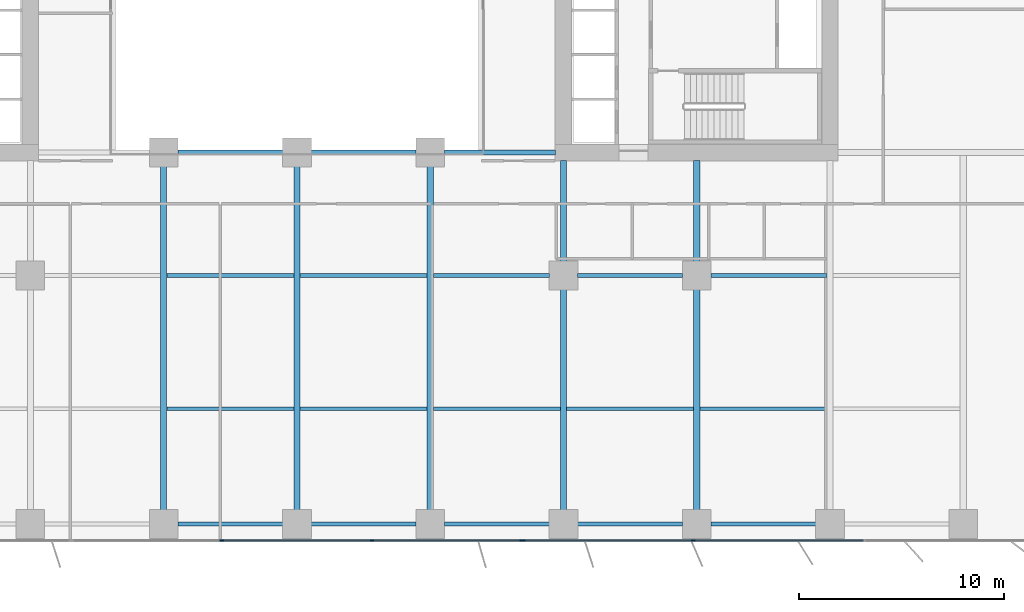
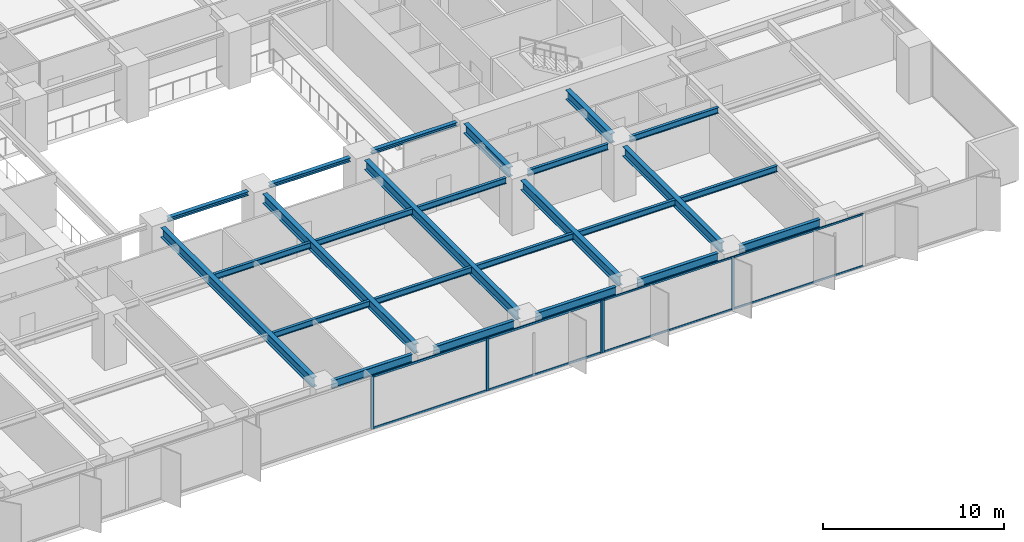
# One storey, part 5 of 20: 25 beams, 13 members, 2 elements without a shape of their own.
"""IFC4 building model written with IfcOpenShell, lengths in metres."""

import ifcopenshell
import ifcopenshell.guid

model = None  # the IFC model being written
_history = None  # IfcOwnerHistory: only IFC2X3 demands one
_inside = {}  # id of a spatial element -> (the spatial element, [elements in it])
_under = {}  # id of a project, library or spatial element -> (it, [spatial elements below it])
_declared = {}  # id of a project -> (the project, [libraries it declares])
_typed = {}  # id of a type object -> (the type object, [elements of that type])
_made_of = {}  # id of a material, layer set ... -> (it, [elements and type objects made of it])


def new_model(schema):
    """Start an empty IFC model of exactly this schema.

    Asked for "IFC4X3", IfcOpenShell would pick the latest addendum, in which some entities
    have other attributes; the version numbers below select the first issue.
    IFC2X3 requires an IfcOwnerHistory on every rooted entity: one is made here for all.
    """
    global model, _history
    if schema == "IFC4X3":
        model = ifcopenshell.file(schema_version=(4, 3, 0, 0))
    else:
        model = ifcopenshell.file(schema=schema)
    _inside.clear()
    _under.clear()
    _declared.clear()
    _typed.clear()
    _made_of.clear()
    _history = None
    if model.schema == "IFC2X3":
        org = make("IfcOrganization", Name="unknown")
        user = make(
            "IfcPersonAndOrganization",
            ThePerson=make("IfcPerson", FamilyName="unknown"),
            TheOrganization=org,
        )
        app = make(
            "IfcApplication",
            ApplicationDeveloper=org,
            Version="unknown",
            ApplicationFullName="unknown",
            ApplicationIdentifier="unknown",
        )
        _history = make(
            "IfcOwnerHistory",
            OwningUser=user,
            OwningApplication=app,
            ChangeAction="ADDED",
            CreationDate=0,
        )
    return model


def make(cls, **values):
    """One entity of the class cls with the attributes given. An attribute that is None is left unset."""
    return model.create_entity(
        cls, **{name: value for name, value in values.items() if value is not None}
    )


def rooted(cls, **values):
    """An entity with a GlobalId (a new one), such as an element, a storey or a relation."""
    return make(cls, GlobalId=ifcopenshell.guid.new(), OwnerHistory=_history, **values)


def si_unit(unit_type, name, prefix=None):
    """IfcSIUnit, for example si_unit("LENGTHUNIT", "METRE", prefix="MILLI")."""
    return make("IfcSIUnit", UnitType=unit_type, Prefix=prefix, Name=name)


def assignment(units):
    """IfcUnitAssignment: the units of a project."""
    return None if units is None else make("IfcUnitAssignment", Units=units)


def point(xyz):
    """IfcCartesianPoint."""
    return None if xyz is None else make("IfcCartesianPoint", Coordinates=xyz)


def direction(xyz):
    """IfcDirection."""
    return None if xyz is None else make("IfcDirection", DirectionRatios=xyz)


def frame(location, z_axis=None, x_axis=None):
    """IfcAxis2Placement3D, a coordinate frame: its origin and axes. An axis left out is left unset."""
    return make(
        "IfcAxis2Placement3D",
        Location=point(location),
        Axis=direction(z_axis),
        RefDirection=direction(x_axis),
    )


def frame_2d(location, x_axis=None):
    """IfcAxis2Placement2D, a coordinate frame in the plane: its origin and x axis."""
    return make(
        "IfcAxis2Placement2D", Location=point(location), RefDirection=direction(x_axis)
    )


def origin():
    """The frame at (0, 0, 0) with its axes left unset."""
    return frame((0.0, 0.0, 0.0))


def origin_2d():
    """The frame at (0, 0) in the plane with its x axis left unset."""
    return frame_2d((0.0, 0.0))


def place(relative_to, where):
    """IfcLocalPlacement: puts the frame where relative to a parent placement (None: the world)."""
    return make(
        "IfcLocalPlacement", PlacementRelTo=relative_to, RelativePlacement=where
    )


def context(
    kind, dimensions, precision=None, world=None, true_north=None, identifier=None
):
    """IfcGeometricRepresentationContext, for example the 3D "Model" context."""
    return make(
        "IfcGeometricRepresentationContext",
        ContextIdentifier=identifier,
        ContextType=kind,
        CoordinateSpaceDimension=dimensions,
        Precision=precision,
        WorldCoordinateSystem=world,
        TrueNorth=true_north,
    )


def subcontext(parent, identifier, kind, view, scale=None):
    """IfcGeometricRepresentationSubContext, for example "Body" below "Model"."""
    return make(
        "IfcGeometricRepresentationSubContext",
        ContextIdentifier=identifier,
        ContextType=kind,
        ParentContext=parent,
        TargetScale=scale,
        TargetView=view,
    )


def project(units=None, contexts=None):
    """IfcProject with its units and contexts."""
    return rooted(
        "IfcProject",
        Name="project",
        RepresentationContexts=contexts,
        UnitsInContext=assignment(units),
    )


def spatial(cls, under=None, at=None, **own):
    """A site, building, storey or space (cls), placed at a placement, below another one or the project."""
    s = rooted(cls, ObjectPlacement=at, **own)
    if under is not None:
        _under.setdefault(under.id(), (under, []))[1].append(s)
    return s


def profile(cls, at=None, kind="AREA", **sizes):
    """A parametric profile (cls). Its sizes go by their IFC names, for example OverallWidth=200.0."""
    return make(cls, ProfileType=kind, Position=at, **sizes)


def rectangle(**sizes):
    """IfcRectangleProfileDef."""
    return profile("IfcRectangleProfileDef", **sizes)


def i_section(**sizes):
    """IfcIShapeProfileDef."""
    return profile("IfcIShapeProfileDef", **sizes)


def extrude(swept, where, along, depth):
    """IfcExtrudedAreaSolid: the profile swept, set in the frame where, extruded along a direction by depth."""
    return make(
        "IfcExtrudedAreaSolid",
        SweptArea=swept,
        Position=where,
        ExtrudedDirection=direction(along),
        Depth=depth,
    )


def shape(context_of_items, identifier, shape_type, items):
    """IfcShapeRepresentation: the items that make up one representation, for example the "Body"."""
    return make(
        "IfcShapeRepresentation",
        ContextOfItems=context_of_items,
        RepresentationIdentifier=identifier,
        RepresentationType=shape_type,
        Items=items,
    )


def material(Name=None, Category=None):
    """IfcMaterial."""
    return make("IfcMaterial", Name=Name, Category=Category)


def layer(
    of_material, thickness, ventilated=None, Name=None, Category=None, Priority=None
):
    """IfcMaterialLayer: one layer of a wall or slab, of a material (None: an air gap)."""
    return make(
        "IfcMaterialLayer",
        Material=of_material,
        LayerThickness=thickness,
        IsVentilated=ventilated,
        Name=Name,
        Category=Category,
        Priority=Priority,
    )


def layer_set(layers, Name=None):
    """IfcMaterialLayerSet."""
    return make("IfcMaterialLayerSet", MaterialLayers=layers, LayerSetName=Name)


def material_profile(
    of_material, cross_section, Name=None, Category=None, Priority=None
):
    """IfcMaterialProfile: a cross section and its material."""
    return make(
        "IfcMaterialProfile",
        Name=Name,
        Material=of_material,
        Profile=cross_section,
        Priority=Priority,
        Category=Category,
    )


def profile_set(profiles, Name=None, composite=None):
    """IfcMaterialProfileSet."""
    return make(
        "IfcMaterialProfileSet",
        Name=Name,
        MaterialProfiles=profiles,
        CompositeProfile=composite,
    )


def made_of(thing, what):
    """Note that an element or type object is made of a material, layer set ...; save() writes the relation."""
    if what is not None:
        _made_of.setdefault(what.id(), (what, []))[1].append(thing)
    return thing


def type_object(cls, material=None, **own):
    """A type object (cls), such as IfcWallType, which elements share."""
    return made_of(rooted(cls, **own), material)


def element(
    cls,
    number,
    at=None,
    inside=None,
    cuts=None,
    type_object=None,
    material=None,
    context=None,
    identifier="Body",
    shape_type=None,
    held_by="IfcProductDefinitionShape",
    body=None,
    shapes=None,
    **own,
):
    """One element of the class cls, such as IfcWall. Its Tag is "e" and its number.

    at: its placement. inside: the storey or other place that contains it. cuts: it is an
    opening in that element (IfcRelVoidsElement). A single representation is given by context,
    identifier, shape_type and body (its items); several are given by shapes. held_by: the class
    of the entity that holds the representations. save() writes the other relations.
    """
    e = rooted(cls, Tag="e%d" % number, ObjectPlacement=at, **own)
    if body is not None:
        shapes = [shape(context, identifier, shape_type, body)]
    if shapes is not None:
        e.Representation = make(held_by, Representations=shapes)
    if inside is not None:
        _inside.setdefault(inside.id(), (inside, []))[1].append(e)
    if cuts is not None:
        rooted(
            "IfcRelVoidsElement", RelatingBuildingElement=cuts, RelatedOpeningElement=e
        )
    if type_object is not None:
        _typed.setdefault(type_object.id(), (type_object, []))[1].append(e)
    return made_of(e, material)


def aggregate(whole, parts):
    """IfcRelAggregates: a whole, such as a stair, and the parts it consists of."""
    return rooted("IfcRelAggregates", RelatingObject=whole, RelatedObjects=parts)


def save(model, path):
    """Write the relations noted so far, then the file.

    IfcRelAggregates (storeys below a building ...), IfcRelContainedInSpatialStructure (elements
    in a storey), IfcRelDefinesByType, IfcRelAssociatesMaterial and IfcRelDeclares: one each for
    every whole, place, type object, material and project.
    """
    for whole, parts in _under.values():
        aggregate(whole, parts)
    for where, things in _inside.values():
        rooted(
            "IfcRelContainedInSpatialStructure",
            RelatedElements=things,
            RelatingStructure=where,
        )
    for kind, things in _typed.values():
        rooted("IfcRelDefinesByType", RelatedObjects=things, RelatingType=kind)
    for what, things in _made_of.values():
        rooted("IfcRelAssociatesMaterial", RelatedObjects=things, RelatingMaterial=what)
    for by, libraries in _declared.values():
        rooted("IfcRelDeclares", RelatingContext=by, RelatedDefinitions=libraries)
    model.write(path)


model = new_model("IFC4")

# Units and contexts
model_context = context("Model", 3, precision=1e-05, world=origin(), true_north=direction((0.0, 1.0)))
body_context = subcontext(model_context, "Body", "Model", "MODEL_VIEW")
ifc_project = project(units=[si_unit("LENGTHUNIT", "METRE"), si_unit("AREAUNIT", "SQUARE_METRE"), si_unit("VOLUMEUNIT", "CUBIC_METRE"), si_unit("PLANEANGLEUNIT", "RADIAN"), si_unit("MASSUNIT", "GRAM", prefix="KILO")], contexts=[model_context])

# Site, building, storey
site_placement = place(None, origin())
site = spatial("IfcSite", under=ifc_project, at=site_placement, CompositionType="ELEMENT")
building_placement = place(site_placement, origin())
building = spatial("IfcBuilding", under=site, at=building_placement, Name="Putna Gate Headquarters", CompositionType="ELEMENT")
storey_placement = place(building_placement, frame((0.0, 0.0, 62.0)))
storey = spatial("IfcBuildingStorey", under=building, at=storey_placement, Name="L14", CompositionType="ELEMENT", Elevation=62.0)

# Beams
ifc_material_1 = material(Name="Steel S355J2", Category="steel")
ifc_material_profile_1 = material_profile(ifc_material_1, i_section(OverallWidth=0.260009765625, OverallDepth=0.260009765625, WebThickness=0.010009765625, FlangeThickness=0.017578125, at=origin_2d()), Name="Steel S355J2")
ifc_profile_set_1 = profile_set([ifc_material_profile_1], Name="Steel S355J2")
beam_type_1 = type_object("IfcBeamType", Name="BM-ATRIUM-HEB260", PredefinedType="BEAM", material=ifc_profile_set_1)
for number, where, z_axis, x_axis, name in (
    (1, (33.18798828125, 19.0, 3.419921875), (1.0, 0.0, 0.0), (0.0, 1.0, 0.0), "L14 Atrium Edge Beam AS2"),
    (2, (39.68798828125, 19.0, 3.419921875), (1.0, 0.0, 0.0), (0.0, 1.0, 0.0), "L14 Atrium Edge Beam AS3"),
):
    element("IfcBeam", number, at=place(storey_placement, frame(where, z_axis=z_axis, x_axis=x_axis)), inside=storey, type_object=beam_type_1, Name=name, PredefinedType="BEAM", context=body_context, shape_type="SweptSolid", body=[
        extrude(i_section(OverallWidth=0.260009765625, OverallDepth=0.260009765625, WebThickness=0.010009765625, FlangeThickness=0.017578125, at=origin_2d()), origin(), (0.0, 0.0, 1.0), 5.1240234375),
    ])
beam_1_placement = place(storey_placement, frame((46.18798828125, 19.0, 3.419921875), z_axis=(1.0, 0.0, 0.0), x_axis=(0.0, 1.0, 0.0)))
element("IfcBeam", 3, at=beam_1_placement, inside=storey, type_object=beam_type_1, Name="L14 Atrium Edge Beam AS4", PredefinedType="BEAM", context=body_context, shape_type="SweptSolid", body=[
    extrude(i_section(OverallWidth=0.260009765625, OverallDepth=0.260009765625, WebThickness=0.010009765625, FlangeThickness=0.017578125, at=origin_2d()), origin(), (0.0, 0.0, 1.0), 5.427001953125),
])
ifc_material_profile_2 = material_profile(ifc_material_1, i_section(OverallWidth=0.300048828125, OverallDepth=0.64990234375, WebThickness=0.01611328125, FlangeThickness=0.031005859375, at=origin_2d()), Name="Steel S355J2")
ifc_profile_set_2 = profile_set([ifc_material_profile_2], Name="Steel S355J2")
beam_type_2 = type_object("IfcBeamType", Name="BM-GIRD-Z1-HEB650", PredefinedType="USERDEFINED", material=ifc_profile_set_2)
for number, where, z_axis, x_axis, name in (
    (4, (32.5, 1.568115234375, 3.22509765625), (0.0, 1.0, 0.0), (-1.0, 0.0, 0.0), "L14 South Primary Girder X32"),
    (5, (39.0, 1.568115234375, 3.22509765625), (0.0, 1.0, 0.0), (-1.0, 0.0, 0.0), "L14 South Primary Girder X39"),
    (6, (45.5, 1.568115234375, 3.22509765625), (0.0, 1.0, 0.0), (-1.0, 0.0, 0.0), "L14 South Primary Girder X45"),
):
    element("IfcBeam", number, at=place(storey_placement, frame(where, z_axis=z_axis, x_axis=x_axis)), inside=storey, type_object=beam_type_2, Name=name, ObjectType="GIRDER", PredefinedType="USERDEFINED", context=body_context, shape_type="SweptSolid", body=[
        extrude(i_section(OverallWidth=0.300048828125, OverallDepth=0.64990234375, WebThickness=0.01611328125, FlangeThickness=0.031005859375, at=origin_2d()), origin(), (0.0, 0.0, 1.0), 16.743896484375),
    ])
beam_2_placement = place(storey_placement, frame((52.0, 1.568115234375, 3.22509765625), z_axis=(0.0, 1.0, 0.0), x_axis=(-1.0, 0.0, 0.0)))
element("IfcBeam", 7, at=beam_2_placement, inside=storey, type_object=beam_type_2, Name="L14 South Primary Girder X52-1", ObjectType="GIRDER", PredefinedType="USERDEFINED", context=body_context, shape_type="SweptSolid", body=[
    extrude(i_section(OverallWidth=0.300048828125, OverallDepth=0.64990234375, WebThickness=0.01611328125, FlangeThickness=0.031005859375, at=origin_2d()), origin(), (0.0, 0.0, 1.0), 10.743896484375),
])
beam_3_placement = place(storey_placement, frame((52.0, 13.68798828125, 3.22509765625), z_axis=(0.0, 1.0, 0.0), x_axis=(-1.0, 0.0, 0.0)))
element("IfcBeam", 8, at=beam_3_placement, inside=storey, type_object=beam_type_2, Name="L14 South Primary Girder X52-2", ObjectType="GIRDER", PredefinedType="USERDEFINED", context=body_context, shape_type="SweptSolid", body=[
    extrude(i_section(OverallWidth=0.300048828125, OverallDepth=0.64990234375, WebThickness=0.01611328125, FlangeThickness=0.031005859375, at=origin_2d()), origin(), (0.0, 0.0, 1.0), 4.927001953125),
])
beam_4_placement = place(storey_placement, frame((58.5, 1.568115234375, 3.22509765625), z_axis=(0.0, 1.0, 0.0), x_axis=(-1.0, 0.0, 0.0)))
element("IfcBeam", 9, at=beam_4_placement, inside=storey, type_object=beam_type_2, Name="L14 South Primary Girder X58-1", ObjectType="GIRDER", PredefinedType="USERDEFINED", context=body_context, shape_type="SweptSolid", body=[
    extrude(i_section(OverallWidth=0.300048828125, OverallDepth=0.64990234375, WebThickness=0.01611328125, FlangeThickness=0.031005859375, at=origin_2d()), origin(), (0.0, 0.0, 1.0), 10.743896484375),
])
beam_5_placement = place(storey_placement, frame((58.5, 13.68798828125, 3.22509765625), z_axis=(0.0, 1.0, 0.0), x_axis=(-1.0, 0.0, 0.0)))
element("IfcBeam", 10, at=beam_5_placement, inside=storey, type_object=beam_type_2, Name="L14 South Primary Girder X58-2", ObjectType="GIRDER", PredefinedType="USERDEFINED", context=body_context, shape_type="SweptSolid", body=[
    extrude(i_section(OverallWidth=0.300048828125, OverallDepth=0.64990234375, WebThickness=0.01611328125, FlangeThickness=0.031005859375, at=origin_2d()), origin(), (0.0, 0.0, 1.0), 4.927001953125),
])
ifc_material_profile_3 = material_profile(ifc_material_1, i_section(OverallWidth=0.179931640625, OverallDepth=0.39990234375, WebThickness=0.008544921875, FlangeThickness=0.013427734375, at=origin_2d()), Name="Steel S355J2")
ifc_profile_set_3 = profile_set([ifc_material_profile_3], Name="Steel S355J2")
beam_type_3 = type_object("IfcBeamType", Name="BM-SEC-Z1-IPE400", PredefinedType="BEAM", material=ifc_profile_set_3)
for number, where, z_axis, x_axis, name in (
    (11, (32.654052734375, 6.5, 3.35009765625), (1.0, 0.0, 0.0), (0.0, 1.0, 0.0), "L14 South Secondary Beam 5"),
    (12, (32.654052734375, 13.0, 3.35009765625), (1.0, 0.0, 0.0), (0.0, 1.0, 0.0), "L14 South Secondary Beam 5"),
    (13, (39.154052734375, 6.5, 3.35009765625), (1.0, 0.0, 0.0), (0.0, 1.0, 0.0), "L14 South Secondary Beam 6"),
    (14, (39.154052734375, 13.0, 3.35009765625), (1.0, 0.0, 0.0), (0.0, 1.0, 0.0), "L14 South Secondary Beam 6"),
    (15, (45.654052734375, 6.5, 3.35009765625), (1.0, 0.0, 0.0), (0.0, 1.0, 0.0), "L14 South Secondary Beam 7"),
):
    element("IfcBeam", number, at=place(storey_placement, frame(where, z_axis=z_axis, x_axis=x_axis)), inside=storey, type_object=beam_type_3, Name=name, PredefinedType="BEAM", context=body_context, shape_type="SweptSolid", body=[
        extrude(i_section(OverallWidth=0.179931640625, OverallDepth=0.39990234375, WebThickness=0.008544921875, FlangeThickness=0.013427734375, at=origin_2d()), origin(), (0.0, 0.0, 1.0), 6.19189453125),
    ])
beam_6_placement = place(storey_placement, frame((45.654052734375, 13.0, 3.35009765625), z_axis=(1.0, 0.0, 0.0), x_axis=(0.0, 1.0, 0.0)))
element("IfcBeam", 16, at=beam_6_placement, inside=storey, type_object=beam_type_3, Name="L14 South Secondary Beam 7", PredefinedType="BEAM", context=body_context, shape_type="SweptSolid", body=[
    extrude(i_section(OverallWidth=0.179931640625, OverallDepth=0.39990234375, WebThickness=0.008544921875, FlangeThickness=0.013427734375, at=origin_2d()), origin(), (0.0, 0.0, 1.0), 5.657958984375),
])
beam_7_placement = place(storey_placement, frame((52.154052734375, 6.5, 3.35009765625), z_axis=(1.0, 0.0, 0.0), x_axis=(0.0, 1.0, 0.0)))
element("IfcBeam", 17, at=beam_7_placement, inside=storey, type_object=beam_type_3, Name="L14 South Secondary Beam 8", PredefinedType="BEAM", context=body_context, shape_type="SweptSolid", body=[
    extrude(i_section(OverallWidth=0.179931640625, OverallDepth=0.39990234375, WebThickness=0.008544921875, FlangeThickness=0.013427734375, at=origin_2d()), origin(), (0.0, 0.0, 1.0), 6.19189453125),
])
beam_8_placement = place(storey_placement, frame((52.68798828125, 13.0, 3.35009765625), z_axis=(1.0, 0.0, 0.0), x_axis=(0.0, 1.0, 0.0)))
element("IfcBeam", 18, at=beam_8_placement, inside=storey, type_object=beam_type_3, Name="L14 South Secondary Beam 8", PredefinedType="BEAM", context=body_context, shape_type="SweptSolid", body=[
    extrude(i_section(OverallWidth=0.179931640625, OverallDepth=0.39990234375, WebThickness=0.008544921875, FlangeThickness=0.013427734375, at=origin_2d()), origin(), (0.0, 0.0, 1.0), 5.1240234375),
])
beam_9_placement = place(storey_placement, frame((58.654052734375, 6.5, 3.35009765625), z_axis=(1.0, 0.0, 0.0), x_axis=(0.0, 1.0, 0.0)))
element("IfcBeam", 19, at=beam_9_placement, inside=storey, type_object=beam_type_3, Name="L14 South Secondary Beam 9", PredefinedType="BEAM", context=body_context, shape_type="SweptSolid", body=[
    extrude(i_section(OverallWidth=0.179931640625, OverallDepth=0.39990234375, WebThickness=0.008544921875, FlangeThickness=0.013427734375, at=origin_2d()), origin(), (0.0, 0.0, 1.0), 6.19189453125),
])
beam_10_placement = place(storey_placement, frame((59.18798828125, 13.0, 3.35009765625), z_axis=(1.0, 0.0, 0.0), x_axis=(0.0, 1.0, 0.0)))
element("IfcBeam", 20, at=beam_10_placement, inside=storey, type_object=beam_type_3, Name="L14 South Secondary Beam 9", PredefinedType="BEAM", context=body_context, shape_type="SweptSolid", body=[
    extrude(i_section(OverallWidth=0.179931640625, OverallDepth=0.39990234375, WebThickness=0.008544921875, FlangeThickness=0.013427734375, at=origin_2d()), origin(), (0.0, 0.0, 1.0), 5.657958984375),
])
ifc_material_profile_4 = material_profile(ifc_material_1, i_section(OverallWidth=0.2099609375, OverallDepth=0.550048828125, WebThickness=0.010986328125, FlangeThickness=0.01708984375, at=origin_2d()), Name="Steel S355J2")
ifc_profile_set_4 = profile_set([ifc_material_profile_4], Name="Steel S355J2")
beam_type_4 = type_object("IfcBeamType", Name="BM-SPAN-Z1-IPE550", PredefinedType="SPANDREL", material=ifc_profile_set_4)
for number, where, z_axis, x_axis, name in (
    (21, (33.18798828125, 0.8798828125, 3.27490234375), (1.0, 0.0, 0.0), (0.0, 1.0, 0.0), "L14 S Perimeter Spandrel 5"),
    (22, (39.68798828125, 0.8798828125, 3.27490234375), (1.0, 0.0, 0.0), (0.0, 1.0, 0.0), "L14 S Perimeter Spandrel 6"),
    (23, (46.18798828125, 0.8798828125, 3.27490234375), (1.0, 0.0, 0.0), (0.0, 1.0, 0.0), "L14 S Perimeter Spandrel 7"),
    (24, (52.68798828125, 0.8798828125, 3.27490234375), (1.0, 0.0, 0.0), (0.0, 1.0, 0.0), "L14 S Perimeter Spandrel 8"),
    (25, (59.18798828125, 0.8798828125, 3.27490234375), (1.0, 0.0, 0.0), (0.0, 1.0, 0.0), "L14 S Perimeter Spandrel 9"),
):
    element("IfcBeam", number, at=place(storey_placement, frame(where, z_axis=z_axis, x_axis=x_axis)), inside=storey, type_object=beam_type_4, Name=name, PredefinedType="SPANDREL", context=body_context, shape_type="SweptSolid", body=[
        extrude(i_section(OverallWidth=0.2099609375, OverallDepth=0.550048828125, WebThickness=0.010986328125, FlangeThickness=0.01708984375, at=origin_2d()), origin(), (0.0, 0.0, 1.0), 5.1240234375),
    ])

# Curtain wall, members
ifc_material_2 = material(Name="Anodised bronze aluminium curtain wall", Category="aluminium")
ifc_layer_1 = layer(ifc_material_2, 0.179931640625)
ifc_layer_set_1 = layer_set([ifc_layer_1], Name="Anodised bronze aluminium curtain wall")
curtain_wall_type_1 = type_object("IfcCurtainWallType", Name="CW-SYS-Z1", PredefinedType="USERDEFINED", material=ifc_layer_set_1)
curtain_wall_1_placement = place(storey_placement, origin())
curtain_wall_1 = element("IfcCurtainWall", 26, at=curtain_wall_1_placement, inside=storey, type_object=curtain_wall_type_1, Name="L14 South East Curtain Wall", ObjectType="STICK CURTAIN WALL", PredefinedType="USERDEFINED")
ifc_material_3 = material(Name="Anodised bronze aluminium EN AW-6060", Category="aluminium")
ifc_material_profile_5 = material_profile(ifc_material_3, rectangle(XDim=0.070068359375, YDim=0.179931640625, at=origin_2d()), Name="Anodised bronze aluminium EN AW-6060")
ifc_profile_set_5 = profile_set([ifc_material_profile_5], Name="Anodised bronze aluminium EN AW-6060")
member_type_1 = type_object("IfcMemberType", Name="MULL-CWM-1", PredefinedType="MULLION", material=ifc_profile_set_5)
member_1_placement = place(storey_placement, frame((50.034912109375, 0.080078125, 0.0), z_axis=(0.0, 0.0, 1.0), x_axis=(0.0, 1.0, 0.0)))
member_1 = element("IfcMember", 27, at=member_1_placement, type_object=member_type_1, Name="CWS-1 mullion 1", PredefinedType="MULLION", context=body_context, shape_type="SweptSolid", body=[
    extrude(rectangle(XDim=0.070068359375, YDim=0.179931640625, at=origin_2d()), origin(), (0.0, 0.0, 1.0), 3.550048828125),
])
member_2_placement = place(storey_placement, frame((58.333251953125, 0.080078125, 0.0), z_axis=(0.0, 0.0, 1.0), x_axis=(0.0, 1.0, 0.0)))
member_2 = element("IfcMember", 28, at=member_2_placement, type_object=member_type_1, Name="CWS-1 mullion 2", PredefinedType="MULLION", context=body_context, shape_type="SweptSolid", body=[
    extrude(rectangle(XDim=0.070068359375, YDim=0.179931640625, at=origin_2d()), origin(), (0.0, 0.0, 1.0), 3.550048828125),
])

ifc_layer_2 = layer(ifc_material_2, 0.179931640625)
ifc_layer_set_2 = layer_set([ifc_layer_2], Name="Anodised bronze aluminium curtain wall")
curtain_wall_type_2 = type_object("IfcCurtainWallType", Name="CW-SYS-ATR", PredefinedType="USERDEFINED", material=ifc_layer_set_2)
curtain_wall_2_placement = place(storey_placement, origin())
curtain_wall_2 = element("IfcCurtainWall", 29, at=curtain_wall_2_placement, inside=storey, type_object=curtain_wall_type_2, Name="L14 South Atrium Clear Glazing", ObjectType="ATRIUM GLAZING", PredefinedType="USERDEFINED")
ifc_material_profile_6 = material_profile(ifc_material_3, rectangle(XDim=0.070068359375, YDim=0.179931640625, at=origin_2d()), Name="Anodised bronze aluminium EN AW-6060")
ifc_profile_set_6 = profile_set([ifc_material_profile_6], Name="Anodised bronze aluminium EN AW-6060")
member_type_2 = type_object("IfcMemberType", Name="MULL-CWM-AT", PredefinedType="MULLION", material=ifc_profile_set_6)
member_3_placement = place(storey_placement, frame((35.333251953125, 0.080078125, 0.0), z_axis=(0.0, 0.0, 1.0), x_axis=(0.0, 1.0, 0.0)))
member_3 = element("IfcMember", 30, at=member_3_placement, type_object=member_type_2, Name="CWS-AT mullion 2", PredefinedType="MULLION", context=body_context, shape_type="SweptSolid", body=[
    extrude(rectangle(XDim=0.070068359375, YDim=0.179931640625, at=origin_2d()), origin(), (0.0, 0.0, 1.0), 3.550048828125),
])
member_4_placement = place(storey_placement, frame((42.666748046875, 0.080078125, 0.0), z_axis=(0.0, 0.0, 1.0), x_axis=(0.0, 1.0, 0.0)))
member_4 = element("IfcMember", 31, at=member_4_placement, type_object=member_type_2, Name="CWS-AT mullion 3", PredefinedType="MULLION", context=body_context, shape_type="SweptSolid", body=[
    extrude(rectangle(XDim=0.070068359375, YDim=0.179931640625, at=origin_2d()), origin(), (0.0, 0.0, 1.0), 3.550048828125),
])
member_5_placement = place(storey_placement, frame((49.965087890625, 0.080078125, 0.0), z_axis=(0.0, 0.0, 1.0), x_axis=(0.0, 1.0, 0.0)))
member_5 = element("IfcMember", 32, at=member_5_placement, type_object=member_type_2, Name="CWS-AT mullion 4", PredefinedType="MULLION", context=body_context, shape_type="SweptSolid", body=[
    extrude(rectangle(XDim=0.070068359375, YDim=0.179931640625, at=origin_2d()), origin(), (0.0, 0.0, 1.0), 3.550048828125),
])

# Member
ifc_material_profile_7 = material_profile(ifc_material_3, rectangle(XDim=0.06494140625, YDim=0.1201171875, at=origin_2d()), Name="Anodised bronze aluminium EN AW-6060")
ifc_profile_set_7 = profile_set([ifc_material_profile_7], Name="Anodised bronze aluminium EN AW-6060")
member_type_3 = type_object("IfcMemberType", Name="TRAN-CWT-1", PredefinedType="USERDEFINED", material=ifc_profile_set_7)
member_6_placement = place(storey_placement, frame((50.070068359375, 0.080078125, 0.032470703125), z_axis=(1.0, 0.0, 0.0), x_axis=(0.0, 1.0, 0.0)))
member_6 = element("IfcMember", 33, at=member_6_placement, type_object=member_type_3, Name="CWS-1 transom 1.1", ObjectType="TRANSOM", PredefinedType="USERDEFINED", context=body_context, shape_type="SweptSolid", body=[
    extrude(rectangle(XDim=0.06494140625, YDim=0.1201171875, at=origin_2d()), origin(), (0.0, 0.0, 1.0), 8.228271484375),
])

member_7_placement = place(storey_placement, frame((50.070068359375, 0.080078125, 3.517578125), z_axis=(1.0, 0.0, 0.0), x_axis=(0.0, 1.0, 0.0)))
member_7 = element("IfcMember", 34, at=member_7_placement, type_object=member_type_3, Name="CWS-1 transom 1.2", ObjectType="TRANSOM", PredefinedType="USERDEFINED", context=body_context, shape_type="SweptSolid", body=[
    extrude(rectangle(XDim=0.06494140625, YDim=0.1201171875, at=origin_2d()), origin(), (0.0, 0.0, 1.0), 8.228271484375),
])

member_8_placement = place(storey_placement, frame((58.368408203125, 0.080078125, 0.032470703125), z_axis=(1.0, 0.0, 0.0), x_axis=(0.0, 1.0, 0.0)))
member_8 = element("IfcMember", 35, at=member_8_placement, type_object=member_type_3, Name="CWS-1 transom 2.1", ObjectType="TRANSOM", PredefinedType="USERDEFINED", context=body_context, shape_type="SweptSolid", body=[
    extrude(rectangle(XDim=0.06494140625, YDim=0.1201171875, at=origin_2d()), origin(), (0.0, 0.0, 1.0), 8.26318359375),
])

member_9_placement = place(storey_placement, frame((58.368408203125, 0.080078125, 3.517578125), z_axis=(1.0, 0.0, 0.0), x_axis=(0.0, 1.0, 0.0)))
member_9 = element("IfcMember", 36, at=member_9_placement, type_object=member_type_3, Name="CWS-1 transom 2.2", ObjectType="TRANSOM", PredefinedType="USERDEFINED", context=body_context, shape_type="SweptSolid", body=[
    extrude(rectangle(XDim=0.06494140625, YDim=0.1201171875, at=origin_2d()), origin(), (0.0, 0.0, 1.0), 8.26318359375),
])

aggregate(curtain_wall_1, [member_1, member_2, member_6, member_7, member_8, member_9])

ifc_material_profile_8 = material_profile(ifc_material_3, rectangle(XDim=0.070068359375, YDim=0.139892578125, at=origin_2d()), Name="Anodised bronze aluminium EN AW-6060")
ifc_profile_set_8 = profile_set([ifc_material_profile_8], Name="Anodised bronze aluminium EN AW-6060")
member_type_4 = type_object("IfcMemberType", Name="TRAN-CWT-AT", PredefinedType="USERDEFINED", material=ifc_profile_set_8)
member_10_placement = place(storey_placement, frame((35.368408203125, 0.080078125, 0.034912109375), z_axis=(1.0, 0.0, 0.0), x_axis=(0.0, 1.0, 0.0)))
member_10 = element("IfcMember", 37, at=member_10_placement, type_object=member_type_4, Name="CWS-AT transom 2.1", ObjectType="TRANSOM", PredefinedType="USERDEFINED", context=body_context, shape_type="SweptSolid", body=[
    extrude(rectangle(XDim=0.070068359375, YDim=0.139892578125, at=origin_2d()), origin(), (0.0, 0.0, 1.0), 7.26318359375),
])

member_11_placement = place(storey_placement, frame((35.368408203125, 0.080078125, 3.514892578125), z_axis=(1.0, 0.0, 0.0), x_axis=(0.0, 1.0, 0.0)))
member_11 = element("IfcMember", 38, at=member_11_placement, type_object=member_type_4, Name="CWS-AT transom 2.2", ObjectType="TRANSOM", PredefinedType="USERDEFINED", context=body_context, shape_type="SweptSolid", body=[
    extrude(rectangle(XDim=0.070068359375, YDim=0.139892578125, at=origin_2d()), origin(), (0.0, 0.0, 1.0), 7.26318359375),
])

member_12_placement = place(storey_placement, frame((42.70166015625, 0.080078125, 0.034912109375), z_axis=(1.0, 0.0, 0.0), x_axis=(0.0, 1.0, 0.0)))
member_12 = element("IfcMember", 39, at=member_12_placement, type_object=member_type_4, Name="CWS-AT transom 3.1", ObjectType="TRANSOM", PredefinedType="USERDEFINED", context=body_context, shape_type="SweptSolid", body=[
    extrude(rectangle(XDim=0.070068359375, YDim=0.139892578125, at=origin_2d()), origin(), (0.0, 0.0, 1.0), 7.228271484375),
])

member_13_placement = place(storey_placement, frame((42.70166015625, 0.080078125, 3.514892578125), z_axis=(1.0, 0.0, 0.0), x_axis=(0.0, 1.0, 0.0)))
member_13 = element("IfcMember", 40, at=member_13_placement, type_object=member_type_4, Name="CWS-AT transom 3.2", ObjectType="TRANSOM", PredefinedType="USERDEFINED", context=body_context, shape_type="SweptSolid", body=[
    extrude(rectangle(XDim=0.070068359375, YDim=0.139892578125, at=origin_2d()), origin(), (0.0, 0.0, 1.0), 7.228271484375),
])

aggregate(curtain_wall_2, [member_3, member_4, member_5, member_10, member_11, member_12, member_13])

save(model, "model.ifc")
